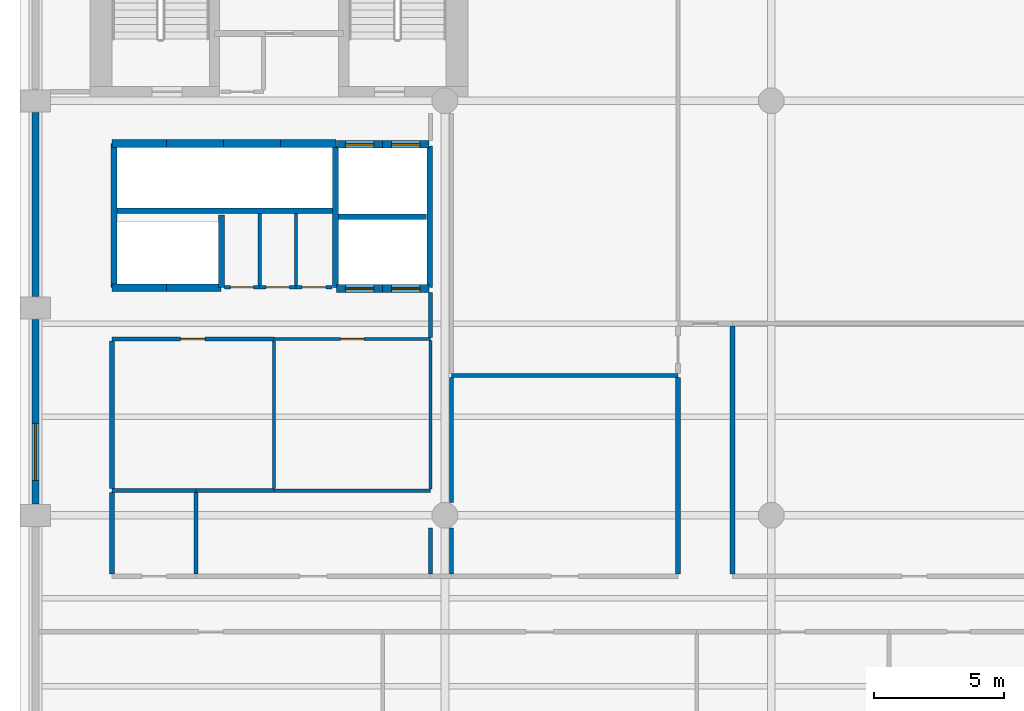
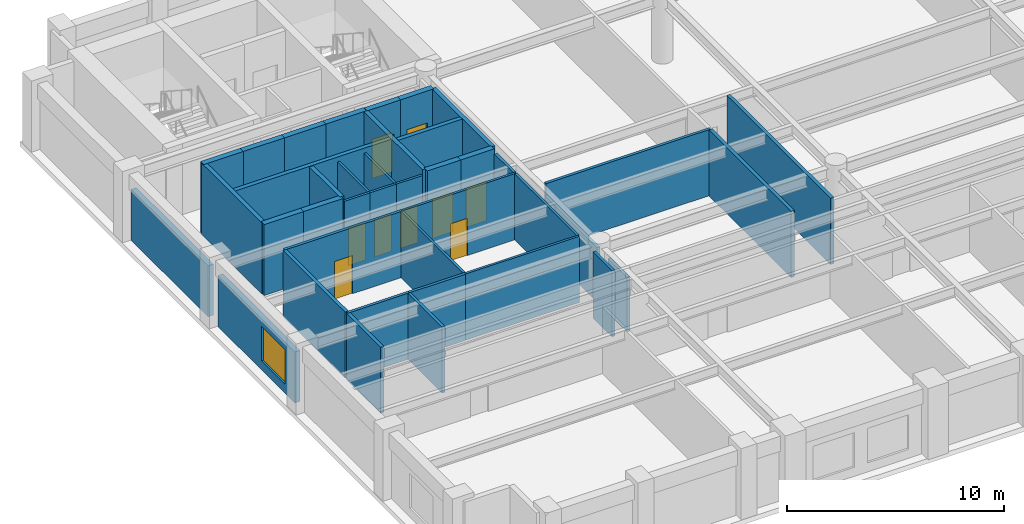
# One storey, part 3 of 8: 40 walls, 9 doors, 1 window, 10 openings.
"""IFC4 building model written with IfcOpenShell, lengths in metres."""

from ifc_helpers import new_model, si_unit, direction, frame, frame_2d, origin, place, context, subcontext, project, spatial, rectangle, extrude, material, layer, layer_set, type_object, element, fill, save


model = new_model("IFC4")

# Units and contexts
model_context = context("Model", 3, precision=1e-05, world=origin(), true_north=direction((0.0, 1.0)))
body_context = subcontext(model_context, "Body", "Model", "MODEL_VIEW")
ifc_project = project(units=[si_unit("LENGTHUNIT", "METRE"), si_unit("AREAUNIT", "SQUARE_METRE"), si_unit("VOLUMEUNIT", "CUBIC_METRE"), si_unit("PLANEANGLEUNIT", "RADIAN"), si_unit("MASSUNIT", "GRAM", prefix="KILO")], contexts=[model_context])

# Site, building, storey
site_placement = place(None, origin())
site = spatial("IfcSite", under=ifc_project, at=site_placement, CompositionType="ELEMENT")
building_placement = place(site_placement, origin())
building = spatial("IfcBuilding", under=site, at=building_placement, Name="Sulina Concourse Tower", CompositionType="ELEMENT")
storey_placement = place(building_placement, frame((0.0, 0.0, 108.60009765625)))
storey = spatial("IfcBuildingStorey", under=building, at=storey_placement, Name="L26", CompositionType="ELEMENT", Elevation=108.60009765625)

# Walls
ifc_material_1 = material(Name="Concrete C50/60", Category="concrete")
ifc_layer_1 = layer(ifc_material_1, 0.219970703125)
ifc_layer_set_1 = layer_set([ifc_layer_1], Name="Concrete C50/60")
wall_type_1 = type_object("IfcWallType", Name="Core Lift Hoistway Divider Wall 220mm", PredefinedType="SOLIDWALL", material=ifc_layer_set_1)
wall_1_placement = place(storey_placement, frame((3.550048828125, 29.75, 0.0), z_axis=(0.0, 0.0, 1.0), x_axis=(1.0, 0.0, 0.0)))
element("IfcWall", 1, at=wall_1_placement, inside=storey, type_object=wall_type_1, Name="L26 shaft divider wall HW-LP3-S", PredefinedType="SOLIDWALL", context=body_context, shape_type="SweptSolid", body=[
    extrude(rectangle(XDim=8.64990234375, YDim=0.219970703125, at=frame_2d((4.324951171875, 0.0))), origin(), (0.0, 0.0, 1.0), 4.0),
])
wall_2_placement = place(storey_placement, frame((3.6298828125, 26.800048828125, 0.0), z_axis=(0.0, 0.0, 1.0), x_axis=(0.0, 1.0, 0.0)))
element("IfcWall", 2, at=wall_2_placement, inside=storey, type_object=wall_type_1, Name="L26 shaft divider wall HW-LP3-W", PredefinedType="SOLIDWALL", context=body_context, shape_type="SweptSolid", body=[
    extrude(rectangle(XDim=5.550048828125, YDim=0.219970703125, at=frame_2d((2.77490234375, 0.0))), origin(), (0.0, 0.0, 1.0), 4.0),
])
wall_3_placement = place(storey_placement, frame((7.780029296875, 26.800048828125, 0.0), z_axis=(0.0, 0.0, 1.0), x_axis=(0.0, 1.0, 0.0)))
element("IfcWall", 3, at=wall_3_placement, inside=storey, type_object=wall_type_1, Name="L26 shaft divider wall HW-EXP-E", PredefinedType="SOLIDWALL", context=body_context, shape_type="SweptSolid", body=[
    extrude(rectangle(XDim=2.800048828125, YDim=0.219970703125, at=frame_2d((1.39990234375, 0.0))), origin(), (0.0, 0.0, 1.0), 4.0),
])
for number, where, z_axis, x_axis, name in (
    (4, (12.179931640625, 26.800048828125, 0.0), (0.0, 0.0, 1.0), (0.0, 1.0, 0.0), "L26 shaft divider wall HW-LP2-W"),
    (5, (15.820068359375, 26.800048828125, 0.0), (0.0, 0.0, 1.0), (0.0, 1.0, 0.0), "L26 shaft divider wall HW-LP2-E"),
):
    element("IfcWall", number, at=place(storey_placement, frame(where, z_axis=z_axis, x_axis=x_axis)), inside=storey, type_object=wall_type_1, Name=name, PredefinedType="SOLIDWALL", context=body_context, shape_type="SweptSolid", body=[
        extrude(rectangle(XDim=5.449951171875, YDim=0.219970703125, at=frame_2d((2.72509765625, 0.0))), origin(), (0.0, 0.0, 1.0), 4.0),
    ])
wall_4_placement = place(storey_placement, frame((12.300048828125, 29.52001953125, 0.0), z_axis=(0.0, 0.0, 1.0), x_axis=(1.0, 0.0, 0.0)))
element("IfcWall", 6, at=wall_4_placement, inside=storey, type_object=wall_type_1, Name="L26 shaft divider wall HW-LP2-M", PredefinedType="SOLIDWALL", context=body_context, shape_type="SweptSolid", body=[
    extrude(rectangle(XDim=3.39990234375, YDim=0.219970703125, at=frame_2d((1.699951171875, 0.0))), origin(), (0.0, 0.0, 1.0), 4.0),
])

# Wall, opening, door
ifc_material_2 = material(Name="Concrete C50/60", Category="concrete")
ifc_layer_2 = layer(ifc_material_2, 0.300048828125)
ifc_layer_set_2 = layer_set([ifc_layer_2], Name="Concrete C50/60")
wall_type_2 = type_object("IfcWallType", Name="Core Lift Hoistway Wall 300mm", PredefinedType="SOLIDWALL", material=ifc_layer_set_2)
wall_5_placement = place(storey_placement, frame((14.0, 26.75, 0.0), z_axis=(0.0, 0.0, 1.0), x_axis=(-1.0, 0.0, 0.0)))
wall_5 = element("IfcWall", 7, at=wall_5_placement, inside=storey, type_object=wall_type_2, Name="L26 hoistway enclosure wall LP-05", PredefinedType="SOLIDWALL", context=body_context, shape_type="SweptSolid", body=[
    extrude(rectangle(XDim=1.780029296875, YDim=0.300048828125, at=frame_2d((0.89013671875, 0.0))), origin(), (0.0, 0.0, 1.0), 4.0),
])
opening_1_placement = place(wall_5_placement, frame((0.340087890625, 0.0, 0.0)))
opening_1 = element("IfcOpeningElement", 8, at=opening_1_placement, cuts=wall_5, Name="Opening LD-01", PredefinedType="OPENING", context=body_context, shape_type="SweptSolid", body=[
    extrude(rectangle(XDim=1.10009765625, YDim=2.199951171875, at=frame_2d((0.550048828125, 1.10009765625))), frame((0.0, 0.159912109375, 0.0), z_axis=(0.0, -1.0, 0.0), x_axis=(1.0, 0.0, 0.0)), (0.0, 0.0, 1.0), 0.320068359375),
])
ifc_material_3 = material(Name="Stainless steel lift landing door", Category="steel")
ifc_layer_3 = layer(ifc_material_3, 0.050048828125)
ifc_layer_set_3 = layer_set([ifc_layer_3], Name="Stainless steel lift landing door")
door_type_1 = type_object("IfcDoorType", Name="Passenger Lift Sliding Landing Door 1100x2200", OperationType="SLIDING_TO_LEFT", PredefinedType="DOOR", material=ifc_layer_set_3)
door_1_placement = place(opening_1_placement, origin())
door_1 = element("IfcDoor", 9, at=door_1_placement, inside=storey, type_object=door_type_1, Name="L26 lift landing sliding door LP-05", OperationType="SLIDING_TO_LEFT", OverallHeight=2.199951171875, OverallWidth=1.10009765625, PredefinedType="DOOR", context=body_context, shape_type="SweptSolid", body=[
    extrude(rectangle(XDim=1.10009765625, YDim=2.199951171875, at=frame_2d((0.550048828125, 1.10009765625))), frame((0.0, 0.02490234375, 0.0), z_axis=(0.0, -1.0, 0.0), x_axis=(1.0, 0.0, 0.0)), (0.0, 0.0, 1.0), 0.050048828125),
])
fill(opening_1, door_1)

wall_6_placement = place(storey_placement, frame((15.780029296875, 26.75, 0.0), z_axis=(0.0, 0.0, 1.0), x_axis=(-1.0, 0.0, 0.0)))
wall_6 = element("IfcWall", 10, at=wall_6_placement, inside=storey, type_object=wall_type_2, Name="L26 hoistway enclosure wall LP-06", PredefinedType="SOLIDWALL", context=body_context, shape_type="SweptSolid", body=[
    extrude(rectangle(XDim=1.780029296875, YDim=0.300048828125, at=frame_2d((0.89013671875, 0.0))), origin(), (0.0, 0.0, 1.0), 4.0),
])
opening_2_placement = place(wall_6_placement, frame((0.340087890625, 0.0, 0.0)))
opening_2 = element("IfcOpeningElement", 11, at=opening_2_placement, cuts=wall_6, Name="Opening LD-01", PredefinedType="OPENING", context=body_context, shape_type="SweptSolid", body=[
    extrude(rectangle(XDim=1.10009765625, YDim=2.199951171875, at=frame_2d((0.550048828125, 1.10009765625))), frame((0.0, 0.159912109375, 0.0), z_axis=(0.0, -1.0, 0.0), x_axis=(1.0, 0.0, 0.0)), (0.0, 0.0, 1.0), 0.320068359375),
])
door_2_placement = place(opening_2_placement, origin())
door_2 = element("IfcDoor", 12, at=door_2_placement, inside=storey, type_object=door_type_1, Name="L26 lift landing sliding door LP-06", OperationType="SLIDING_TO_RIGHT", OverallHeight=2.199951171875, OverallWidth=1.10009765625, PredefinedType="DOOR", context=body_context, shape_type="SweptSolid", body=[
    extrude(rectangle(XDim=1.10009765625, YDim=2.199951171875, at=frame_2d((0.550048828125, 1.10009765625))), frame((0.0, 0.02490234375, 0.0), z_axis=(0.0, -1.0, 0.0), x_axis=(1.0, 0.0, 0.0)), (0.0, 0.0, 1.0), 0.050048828125),
])
fill(opening_2, door_2)

wall_7_placement = place(storey_placement, frame((12.219970703125, 32.320068359375, 0.0), z_axis=(0.0, 0.0, 1.0), x_axis=(1.0, 0.0, 0.0)))
wall_7 = element("IfcWall", 13, at=wall_7_placement, inside=storey, type_object=wall_type_2, Name="L26 hoistway enclosure wall LP-07", PredefinedType="SOLIDWALL", context=body_context, shape_type="SweptSolid", body=[
    extrude(rectangle(XDim=1.780029296875, YDim=0.300048828125, at=frame_2d((0.89013671875, 0.0))), origin(), (0.0, 0.0, 1.0), 4.0),
])
opening_3_placement = place(wall_7_placement, frame((0.340087890625, 0.0, 0.0)))
opening_3 = element("IfcOpeningElement", 14, at=opening_3_placement, cuts=wall_7, Name="Opening LD-01", PredefinedType="OPENING", context=body_context, shape_type="SweptSolid", body=[
    extrude(rectangle(XDim=1.10009765625, YDim=2.199951171875, at=frame_2d((0.550048828125, 1.10009765625))), frame((0.0, 0.159912109375, 0.0), z_axis=(0.0, -1.0, 0.0), x_axis=(1.0, 0.0, 0.0)), (0.0, 0.0, 1.0), 0.320068359375),
])
door_3_placement = place(opening_3_placement, origin())
door_3 = element("IfcDoor", 15, at=door_3_placement, inside=storey, type_object=door_type_1, Name="L26 lift landing sliding door LP-07", OperationType="SLIDING_TO_LEFT", OverallHeight=2.199951171875, OverallWidth=1.10009765625, PredefinedType="DOOR", context=body_context, shape_type="SweptSolid", body=[
    extrude(rectangle(XDim=1.10009765625, YDim=2.199951171875, at=frame_2d((0.550048828125, 1.10009765625))), frame((0.0, 0.02490234375, 0.0), z_axis=(0.0, -1.0, 0.0), x_axis=(1.0, 0.0, 0.0)), (0.0, 0.0, 1.0), 0.050048828125),
])
fill(opening_3, door_3)

wall_8_placement = place(storey_placement, frame((14.0, 32.320068359375, 0.0), z_axis=(0.0, 0.0, 1.0), x_axis=(1.0, 0.0, 0.0)))
wall_8 = element("IfcWall", 16, at=wall_8_placement, inside=storey, type_object=wall_type_2, Name="L26 hoistway enclosure wall LP-08", PredefinedType="SOLIDWALL", context=body_context, shape_type="SweptSolid", body=[
    extrude(rectangle(XDim=1.780029296875, YDim=0.300048828125, at=frame_2d((0.89013671875, 0.0))), origin(), (0.0, 0.0, 1.0), 4.0),
])
opening_4_placement = place(wall_8_placement, frame((0.340087890625, 0.0, 0.0)))
opening_4 = element("IfcOpeningElement", 17, at=opening_4_placement, cuts=wall_8, Name="Opening LD-01", PredefinedType="OPENING", context=body_context, shape_type="SweptSolid", body=[
    extrude(rectangle(XDim=1.10009765625, YDim=2.199951171875, at=frame_2d((0.550048828125, 1.10009765625))), frame((0.0, 0.159912109375, 0.0), z_axis=(0.0, -1.0, 0.0), x_axis=(1.0, 0.0, 0.0)), (0.0, 0.0, 1.0), 0.320068359375),
])
door_4_placement = place(opening_4_placement, origin())
door_4 = element("IfcDoor", 18, at=door_4_placement, inside=storey, type_object=door_type_1, Name="L26 lift landing sliding door LP-08", OperationType="SLIDING_TO_RIGHT", OverallHeight=2.199951171875, OverallWidth=1.10009765625, PredefinedType="DOOR", context=body_context, shape_type="SweptSolid", body=[
    extrude(rectangle(XDim=1.10009765625, YDim=2.199951171875, at=frame_2d((0.550048828125, 1.10009765625))), frame((0.0, 0.02490234375, 0.0), z_axis=(0.0, -1.0, 0.0), x_axis=(1.0, 0.0, 0.0)), (0.0, 0.0, 1.0), 0.050048828125),
])
fill(opening_4, door_4)

# Walls
wall_9_placement = place(storey_placement, frame((3.550048828125, 32.35009765625, 0.0), z_axis=(0.0, 0.0, 1.0), x_axis=(1.0, 0.0, 0.0)))
element("IfcWall", 19, at=wall_9_placement, inside=storey, type_object=wall_type_2, Name="L26 hoistway enclosure wall LP-09", PredefinedType="SOLIDWALL", context=body_context, shape_type="SweptSolid", body=[
    extrude(rectangle(XDim=2.099853515625, YDim=0.300048828125, at=frame_2d((1.0498046875, 0.0))), origin(), (0.0, 0.0, 1.0), 4.0),
])
wall_10_placement = place(storey_placement, frame((5.64990234375, 32.35009765625, 0.0), z_axis=(0.0, 0.0, 1.0), x_axis=(1.0, 0.0, 0.0)))
element("IfcWall", 20, at=wall_10_placement, inside=storey, type_object=wall_type_2, Name="L26 hoistway enclosure wall LP-10", PredefinedType="SOLIDWALL", context=body_context, shape_type="SweptSolid", body=[
    extrude(rectangle(XDim=2.2001953125, YDim=0.300048828125, at=frame_2d((1.10009765625, 0.0))), origin(), (0.0, 0.0, 1.0), 4.0),
])
wall_11_placement = place(storey_placement, frame((7.85009765625, 32.35009765625, 0.0), z_axis=(0.0, 0.0, 1.0), x_axis=(1.0, 0.0, 0.0)))
element("IfcWall", 21, at=wall_11_placement, inside=storey, type_object=wall_type_2, Name="L26 hoistway enclosure wall LP-11", PredefinedType="SOLIDWALL", context=body_context, shape_type="SweptSolid", body=[
    extrude(rectangle(XDim=2.199951171875, YDim=0.300048828125, at=frame_2d((1.10009765625, 0.0))), origin(), (0.0, 0.0, 1.0), 4.0),
])
wall_12_placement = place(storey_placement, frame((10.050048828125, 32.35009765625, 0.0), z_axis=(0.0, 0.0, 1.0), x_axis=(1.0, 0.0, 0.0)))
element("IfcWall", 22, at=wall_12_placement, inside=storey, type_object=wall_type_2, Name="L26 hoistway enclosure wall LP-12", PredefinedType="SOLIDWALL", context=body_context, shape_type="SweptSolid", body=[
    extrude(rectangle(XDim=2.14990234375, YDim=0.300048828125, at=frame_2d((1.074951171875, 0.0))), origin(), (0.0, 0.0, 1.0), 4.0),
])
wall_13_placement = place(storey_placement, frame((5.64990234375, 26.780029296875, 0.0), z_axis=(0.0, 0.0, 1.0), x_axis=(-1.0, 0.0, 0.0)))
element("IfcWall", 23, at=wall_13_placement, inside=storey, type_object=wall_type_2, Name="L26 hoistway enclosure wall EXP-1", PredefinedType="SOLIDWALL", context=body_context, shape_type="SweptSolid", body=[
    extrude(rectangle(XDim=2.099853515625, YDim=0.300048828125, at=frame_2d((1.0498046875, 0.0))), origin(), (0.0, 0.0, 1.0), 4.0),
])
wall_14_placement = place(storey_placement, frame((7.75, 26.780029296875, 0.0), z_axis=(0.0, 0.0, 1.0), x_axis=(-1.0, 0.0, 0.0)))
element("IfcWall", 24, at=wall_14_placement, inside=storey, type_object=wall_type_2, Name="L26 hoistway enclosure wall EXP-2", PredefinedType="SOLIDWALL", context=body_context, shape_type="SweptSolid", body=[
    extrude(rectangle(XDim=2.10009765625, YDim=0.300048828125, at=frame_2d((1.050048828125, 0.0))), origin(), (0.0, 0.0, 1.0), 4.0),
])
ifc_material_4 = material(Name="Gypsum board on steel stud", Category="steel")
ifc_layer_4 = layer(ifc_material_4, 0.14990234375)
ifc_layer_set_4 = layer_set([ifc_layer_4], Name="Gypsum board on steel stud")
wall_type_3 = type_object("IfcWallType", Name="Inter-Tenancy Acoustic Partition 150mm", PredefinedType="PARTITIONING", material=ifc_layer_set_4)
wall_15_placement = place(storey_placement, frame((3.550048828125, 18.949951171875, 0.0), z_axis=(0.0, 0.0, 1.0), x_axis=(1.0, 0.0, 0.0)))
element("IfcWall", 25, at=wall_15_placement, inside=storey, type_object=wall_type_3, Name="L26 interior partition 013", PredefinedType="PARTITIONING", context=body_context, shape_type="SweptSolid", body=[
    extrude(rectangle(XDim=3.25, YDim=0.14990234375, at=frame_2d((1.625, 0.0))), origin(), (0.0, 0.0, 1.0), 3.724853515625),
])
wall_16_placement = place(storey_placement, frame((6.800048828125, 18.949951171875, 0.0), z_axis=(0.0, 0.0, 1.0), x_axis=(1.0, 0.0, 0.0)))
element("IfcWall", 26, at=wall_16_placement, inside=storey, type_object=wall_type_3, Name="L26 interior partition 014", PredefinedType="PARTITIONING", context=body_context, shape_type="SweptSolid", body=[
    extrude(rectangle(XDim=3.0, YDim=0.14990234375, at=frame_2d((1.5, 0.0))), origin(), (0.0, 0.0, 1.0), 3.724853515625),
])
wall_17_placement = place(storey_placement, frame((16.64990234375, 23.39990234375, 0.0), z_axis=(0.0, 0.0, 1.0), x_axis=(1.0, 0.0, 0.0)))
element("IfcWall", 27, at=wall_17_placement, inside=storey, type_object=wall_type_3, Name="L26 interior partition 016", PredefinedType="PARTITIONING", context=body_context, shape_type="SweptSolid", body=[
    extrude(rectangle(XDim=8.75, YDim=0.14990234375, at=frame_2d((4.375, 0.0))), origin(), (0.0, 0.0, 1.0), 3.724853515625),
])

# Wall, opening, door
wall_18_placement = place(storey_placement, frame((3.550048828125, 24.800048828125, 0.0), z_axis=(0.0, 0.0, 1.0), x_axis=(1.0, 0.0, 0.0)))
wall_18 = element("IfcWall", 28, at=wall_18_placement, inside=storey, type_object=wall_type_3, Name="L26 interior partition 017", PredefinedType="PARTITIONING", context=body_context, shape_type="SweptSolid", body=[
    extrude(rectangle(XDim=6.25, YDim=0.14990234375, at=frame_2d((3.125, 0.0))), origin(), (0.0, 0.0, 1.0), 3.724853515625),
])
opening_5_placement = place(wall_18_placement, frame((2.64990234375, 0.0, 0.0)))
opening_5 = element("IfcOpeningElement", 29, at=opening_5_placement, cuts=wall_18, Name="Opening DR-19", PredefinedType="OPENING", context=body_context, shape_type="SweptSolid", body=[
    extrude(rectangle(XDim=0.949951171875, YDim=2.14990234375, at=frame_2d((0.47509765625, 1.074951171875))), frame((0.0, 0.0849609375, 0.0), z_axis=(0.0, -1.0, 0.0), x_axis=(1.0, 0.0, 0.0)), (0.0, 0.0, 1.0), 0.169921875),
])
ifc_material_5 = material(Name="Oak-veneered acoustic timber leaf", Category="wood")
ifc_layer_5 = layer(ifc_material_5, 0.050048828125)
ifc_layer_set_5 = layer_set([ifc_layer_5], Name="Oak-veneered acoustic timber leaf")
door_type_2 = type_object("IfcDoorType", Name="Cellular Office & Meeting Door 950x2150", OperationType="NOTDEFINED", PredefinedType="DOOR", material=ifc_layer_set_5)
door_5_placement = place(opening_5_placement, origin())
door_5 = element("IfcDoor", 30, at=door_5_placement, inside=storey, type_object=door_type_2, Name="L26 interior door L26-LR-MRG1", OperationType="SINGLE_SWING_LEFT", OverallHeight=2.14990234375, OverallWidth=0.949951171875, PredefinedType="DOOR", context=body_context, shape_type="SweptSolid", body=[
    extrude(rectangle(XDim=0.949951171875, YDim=2.14990234375, at=frame_2d((0.47509765625, 1.074951171875))), frame((0.0, 0.02490234375, 0.0), z_axis=(0.0, -1.0, 0.0), x_axis=(1.0, 0.0, 0.0)), (0.0, 0.0, 1.0), 0.050048828125),
])
fill(opening_5, door_5)

# Walls
wall_19_placement = place(storey_placement, frame((6.800048828125, 15.739990234375, 0.0), z_axis=(0.0, 0.0, 1.0), x_axis=(0.0, 1.0, 0.0)))
element("IfcWall", 31, at=wall_19_placement, inside=storey, type_object=wall_type_3, Name="L26 interior partition 032", PredefinedType="PARTITIONING", context=body_context, shape_type="SweptSolid", body=[
    extrude(rectangle(XDim=3.135009765625, YDim=0.14990234375, at=frame_2d((1.5673828125, 0.0))), origin(), (0.0, 0.0, 1.0), 3.724853515625),
])
wall_20_placement = place(storey_placement, frame((15.85009765625, 15.739990234375, 0.0), z_axis=(0.0, 0.0, 1.0), x_axis=(0.0, 1.0, 0.0)))
element("IfcWall", 32, at=wall_20_placement, inside=storey, type_object=wall_type_3, Name="L26 interior partition 038", PredefinedType="PARTITIONING", context=body_context, shape_type="SweptSolid", body=[
    extrude(rectangle(XDim=1.760009765625, YDim=0.14990234375, at=frame_2d((0.8798828125, 0.0))), origin(), (0.0, 0.0, 1.0), 3.724853515625),
])
wall_21_placement = place(storey_placement, frame((15.85009765625, 24.862548828125, 0.0), z_axis=(0.0, 0.0, 1.0), x_axis=(0.0, 1.0, 0.0)))
element("IfcWall", 33, at=wall_21_placement, inside=storey, type_object=wall_type_3, Name="L26 interior partition 040", PredefinedType="PARTITIONING", context=body_context, shape_type="SweptSolid", body=[
    extrude(rectangle(XDim=1.737548828125, YDim=0.14990234375, at=frame_2d((0.86865234375, 0.0))), origin(), (0.0, 0.0, 1.0), 3.724853515625),
])
wall_22_placement = place(storey_placement, frame((16.64990234375, 15.739990234375, 0.0), z_axis=(0.0, 0.0, 1.0), x_axis=(0.0, 1.0, 0.0)))
element("IfcWall", 34, at=wall_22_placement, inside=storey, type_object=wall_type_3, Name="L26 interior partition 042", PredefinedType="PARTITIONING", context=body_context, shape_type="SweptSolid", body=[
    extrude(rectangle(XDim=1.760009765625, YDim=0.14990234375, at=frame_2d((0.8798828125, 0.0))), origin(), (0.0, 0.0, 1.0), 3.06982421875),
])
wall_23_placement = place(storey_placement, frame((16.64990234375, 18.5, 0.0), z_axis=(0.0, 0.0, 1.0), x_axis=(0.0, 1.0, 0.0)))
element("IfcWall", 35, at=wall_23_placement, inside=storey, type_object=wall_type_3, Name="L26 interior partition 043", PredefinedType="PARTITIONING", context=body_context, shape_type="SweptSolid", body=[
    extrude(rectangle(XDim=4.824951171875, YDim=0.14990234375, at=frame_2d((2.41259765625, 0.0))), origin(), (0.0, 0.0, 1.0), 3.06982421875),
])
ifc_material_6 = material(Name="Gypsum board on steel stud", Category="steel")
ifc_layer_6 = layer(ifc_material_6, 0.179931640625)
ifc_layer_set_6 = layer_set([ifc_layer_6], Name="Gypsum board on steel stud")
wall_type_4 = type_object("IfcWallType", Name="Protected Corridor & Riser Partition 180mm", PredefinedType="PARTITIONING", material=ifc_layer_set_6)
wall_24_placement = place(storey_placement, frame((3.550048828125, 15.739990234375, 0.0), z_axis=(0.0, 0.0, 1.0), x_axis=(0.0, 1.0, 0.0)))
element("IfcWall", 36, at=wall_24_placement, inside=storey, type_object=wall_type_4, Name="L26 interior partition 030", PredefinedType="PARTITIONING", context=body_context, shape_type="SweptSolid", body=[
    extrude(rectangle(XDim=3.135009765625, YDim=0.179931640625, at=frame_2d((1.5673828125, 0.0))), origin(), (0.0, 0.0, 1.0), 3.724853515625),
])
wall_25_placement = place(storey_placement, frame((3.550048828125, 19.02490234375, 0.0), z_axis=(0.0, 0.0, 1.0), x_axis=(0.0, 1.0, 0.0)))
element("IfcWall", 37, at=wall_25_placement, inside=storey, type_object=wall_type_4, Name="L26 interior partition 031", PredefinedType="PARTITIONING", context=body_context, shape_type="SweptSolid", body=[
    extrude(rectangle(XDim=5.7001953125, YDim=0.179931640625, at=frame_2d((2.85009765625, 0.0))), origin(), (0.0, 0.0, 1.0), 3.724853515625),
])
wall_26_placement = place(storey_placement, frame((25.39990234375, 15.739990234375, 0.0), z_axis=(0.0, 0.0, 1.0), x_axis=(0.0, 1.0, 0.0)))
element("IfcWall", 38, at=wall_26_placement, inside=storey, type_object=wall_type_4, Name="L26 interior partition 045", PredefinedType="PARTITIONING", context=body_context, shape_type="SweptSolid", body=[
    extrude(rectangle(XDim=7.5849609375, YDim=0.179931640625, at=frame_2d((3.79248046875, 0.0))), origin(), (0.0, 0.0, 1.0), 3.724853515625),
])
wall_27_placement = place(storey_placement, frame((27.5, 15.739990234375, 0.0), z_axis=(0.0, 0.0, 1.0), x_axis=(0.0, 1.0, 0.0)))
element("IfcWall", 39, at=wall_27_placement, inside=storey, type_object=wall_type_4, Name="L26 interior partition 049", PredefinedType="PARTITIONING", context=body_context, shape_type="SweptSolid", body=[
    extrude(rectangle(XDim=9.570068359375, YDim=0.179931640625, at=frame_2d((4.78515625, 0.0))), origin(), (0.0, 0.0, 1.0), 3.724853515625),
])

# Wall, opening, window
ifc_material_7 = material(Name="Precast concrete C50/60", Category="concrete")
ifc_layer_7 = layer(ifc_material_7, 0.280029296875)
ifc_layer_set_7 = layer_set([ifc_layer_7], Name="Precast concrete C50/60")
wall_type_5 = type_object("IfcWallType", Name="Typical Precast Masonry-Frame Facade Wall 280mm", PredefinedType="SOLIDWALL", material=ifc_layer_set_7)
wall_28_placement = place(storey_placement, frame((0.60009765625, 18.445068359375, 0.0), z_axis=(0.0, 0.0, 1.0), x_axis=(0.0, 1.0, 0.0)))
wall_28 = element("IfcWall", 40, at=wall_28_placement, inside=storey, type_object=wall_type_5, Name="L26 exterior precast wall W3", PredefinedType="SOLIDWALL", context=body_context, shape_type="SweptSolid", body=[
    extrude(rectangle(XDim=7.10986328125, YDim=0.280029296875, at=frame_2d((3.554931640625, 0.0))), origin(), (0.0, 0.0, 1.0), 2.875),
])
opening_6_placement = place(wall_28_placement, frame((0.9033203125, 0.0, 0.5)))
opening_6 = element("IfcOpeningElement", 41, at=opening_6_placement, cuts=wall_28, Name="Opening WN-76", PredefinedType="OPENING", context=body_context, shape_type="SweptSolid", body=[
    extrude(rectangle(XDim=2.199951171875, YDim=1.949951171875, at=frame_2d((1.10009765625, 0.97509765625))), frame((0.0, 0.14990234375, 0.0), z_axis=(0.0, -1.0, 0.0), x_axis=(1.0, 0.0, 0.0)), (0.0, 0.0, 1.0), 0.300048828125),
])
ifc_material_8 = material(Name="Low-E solar double glazing in bronze aluminium", Category="aluminium")
window_type = type_object("IfcWindowType", Name="Recessed Spandrel Window 2200x1950", PartitioningType="DOUBLE_PANEL_VERTICAL", PredefinedType="WINDOW", material=ifc_material_8)
window_placement = place(opening_6_placement, origin())
window = element("IfcWindow", 42, at=window_placement, inside=storey, type_object=window_type, Name="L26 punched window W3-1", OverallHeight=1.949951171875, OverallWidth=2.199951171875, PartitioningType="SINGLE_PANEL", PredefinedType="WINDOW", context=body_context, shape_type="SweptSolid", body=[
    extrude(rectangle(XDim=2.199951171875, YDim=1.949951171875, at=frame_2d((1.10009765625, 0.97509765625))), frame((0.0, 0.030029296875, 0.0), z_axis=(0.0, -1.0, 0.0), x_axis=(1.0, 0.0, 0.0)), (0.0, 0.0, 1.0), 0.06005859375),
])
fill(opening_6, window)

# Walls
wall_29_placement = place(storey_placement, frame((0.60009765625, 26.445068359375, 0.0), z_axis=(0.0, 0.0, 1.0), x_axis=(0.0, 1.0, 0.0)))
element("IfcWall", 43, at=wall_29_placement, inside=storey, type_object=wall_type_5, Name="L26 exterior precast wall W4", PredefinedType="SOLIDWALL", context=body_context, shape_type="SweptSolid", body=[
    extrude(rectangle(XDim=7.10986328125, YDim=0.280029296875, at=frame_2d((3.554931640625, 0.0))), origin(), (0.0, 0.0, 1.0), 2.875),
])
ifc_material_9 = material(Name="Gypsum board on steel stud", Category="steel")
ifc_layer_8 = layer(ifc_material_9, 0.125)
ifc_layer_set_8 = layer_set([ifc_layer_8], Name="Gypsum board on steel stud")
wall_type_6 = type_object("IfcWallType", Name="Wet-Area Moisture-Resistant Partition 125mm", PredefinedType="PARTITIONING", material=ifc_layer_set_8)
wall_30_placement = place(storey_placement, frame((9.800048828125, 18.949951171875, 0.0), z_axis=(0.0, 0.0, 1.0), x_axis=(1.0, 0.0, 0.0)))
element("IfcWall", 44, at=wall_30_placement, inside=storey, type_object=wall_type_6, Name="L26 interior partition 015", PredefinedType="PARTITIONING", context=body_context, shape_type="SweptSolid", body=[
    extrude(rectangle(XDim=6.050048828125, YDim=0.125, at=frame_2d((3.02490234375, 0.0))), origin(), (0.0, 0.0, 1.0), 3.724853515625),
])

# Wall, opening, door
wall_31_placement = place(storey_placement, frame((9.800048828125, 24.800048828125, 0.0), z_axis=(0.0, 0.0, 1.0), x_axis=(1.0, 0.0, 0.0)))
wall_31 = element("IfcWall", 45, at=wall_31_placement, inside=storey, type_object=wall_type_6, Name="L26 interior partition 018", PredefinedType="PARTITIONING", context=body_context, shape_type="SweptSolid", body=[
    extrude(rectangle(XDim=6.050048828125, YDim=0.125, at=frame_2d((3.02490234375, 0.0))), origin(), (0.0, 0.0, 1.0), 3.724853515625),
])
opening_7_placement = place(wall_31_placement, frame((2.574951171875, 0.0, 0.0)))
opening_7 = element("IfcOpeningElement", 46, at=opening_7_placement, cuts=wall_31, Name="Opening DR-21", PredefinedType="OPENING", context=body_context, shape_type="SweptSolid", body=[
    extrude(rectangle(XDim=0.89990234375, YDim=2.10009765625, at=frame_2d((0.449951171875, 1.050048828125))), frame((0.0, 0.072509765625, 0.0), z_axis=(0.0, -1.0, 0.0), x_axis=(1.0, 0.0, 0.0)), (0.0, 0.0, 1.0), 0.14501953125),
])
ifc_material_10 = material(Name="Oak-veneered fire door leaf")
ifc_layer_9 = layer(ifc_material_10, 0.050048828125)
ifc_layer_set_9 = layer_set([ifc_layer_9], Name="Oak-veneered fire door leaf")
door_type_3 = type_object("IfcDoorType", Name="Restroom & Service Door 900x2100", OperationType="NOTDEFINED", PredefinedType="DOOR", material=ifc_layer_set_9)
door_6_placement = place(opening_7_placement, origin())
door_6 = element("IfcDoor", 47, at=door_6_placement, inside=storey, type_object=door_type_3, Name="L26 interior door L26-LR-MRG2", OperationType="SINGLE_SWING_RIGHT", OverallHeight=2.10009765625, OverallWidth=0.89990234375, PredefinedType="DOOR", context=body_context, shape_type="SweptSolid", body=[
    extrude(rectangle(XDim=0.89990234375, YDim=2.10009765625, at=frame_2d((0.449951171875, 1.050048828125))), frame((0.0, 0.02490234375, 0.0), z_axis=(0.0, -1.0, 0.0), x_axis=(1.0, 0.0, 0.0)), (0.0, 0.0, 1.0), 0.050048828125),
])
fill(opening_7, door_6)

wall_32_placement = place(storey_placement, frame((7.889892578125, 26.800048828125, 0.0), z_axis=(0.0, 0.0, 1.0), x_axis=(1.0, 0.0, 0.0)))
wall_32 = element("IfcWall", 48, at=wall_32_placement, inside=storey, type_object=wall_type_6, Name="L26 interior partition 021", PredefinedType="PARTITIONING", context=body_context, shape_type="SweptSolid", body=[
    extrude(rectangle(XDim=1.360107421875, YDim=0.125, at=frame_2d((0.68017578125, 0.0))), origin(), (0.0, 0.0, 1.0), 3.724853515625),
])
opening_8_placement = place(wall_32_placement, frame((0.22998046875, 0.0, 0.0)))
opening_8 = element("IfcOpeningElement", 49, at=opening_8_placement, cuts=wall_32, Name="Opening DR-21", PredefinedType="OPENING", context=body_context, shape_type="SweptSolid", body=[
    extrude(rectangle(XDim=0.89990234375, YDim=2.10009765625, at=frame_2d((0.449951171875, 1.050048828125))), frame((0.0, 0.072509765625, 0.0), z_axis=(0.0, -1.0, 0.0), x_axis=(1.0, 0.0, 0.0)), (0.0, 0.0, 1.0), 0.14501953125),
])
door_7_placement = place(opening_8_placement, origin())
door_7 = element("IfcDoor", 50, at=door_7_placement, inside=storey, type_object=door_type_3, Name="L26 interior door L26-WC-M", OperationType="SINGLE_SWING_RIGHT", OverallHeight=2.10009765625, OverallWidth=0.89990234375, PredefinedType="DOOR", context=body_context, shape_type="SweptSolid", body=[
    extrude(rectangle(XDim=0.89990234375, YDim=2.10009765625, at=frame_2d((0.449951171875, 1.050048828125))), frame((0.0, 0.02490234375, 0.0), z_axis=(0.0, -1.0, 0.0), x_axis=(1.0, 0.0, 0.0)), (0.0, 0.0, 1.0), 0.050048828125),
])
fill(opening_8, door_7)

wall_33_placement = place(storey_placement, frame((9.25, 26.800048828125, 0.0), z_axis=(0.0, 0.0, 1.0), x_axis=(1.0, 0.0, 0.0)))
wall_33 = element("IfcWall", 51, at=wall_33_placement, inside=storey, type_object=wall_type_6, Name="L26 interior partition 022", PredefinedType="PARTITIONING", context=body_context, shape_type="SweptSolid", body=[
    extrude(rectangle(XDim=1.39990234375, YDim=0.125, at=frame_2d((0.699951171875, 0.0))), origin(), (0.0, 0.0, 1.0), 3.724853515625),
])
opening_9_placement = place(wall_33_placement, frame((0.25, 0.0, 0.0)))
opening_9 = element("IfcOpeningElement", 52, at=opening_9_placement, cuts=wall_33, Name="Opening DR-21", PredefinedType="OPENING", context=body_context, shape_type="SweptSolid", body=[
    extrude(rectangle(XDim=0.89990234375, YDim=2.10009765625, at=frame_2d((0.449951171875, 1.050048828125))), frame((0.0, 0.072509765625, 0.0), z_axis=(0.0, -1.0, 0.0), x_axis=(1.0, 0.0, 0.0)), (0.0, 0.0, 1.0), 0.14501953125),
])
door_8_placement = place(opening_9_placement, origin())
door_8 = element("IfcDoor", 53, at=door_8_placement, inside=storey, type_object=door_type_3, Name="L26 interior door L26-WC-F", OperationType="SINGLE_SWING_LEFT", OverallHeight=2.10009765625, OverallWidth=0.89990234375, PredefinedType="DOOR", context=body_context, shape_type="SweptSolid", body=[
    extrude(rectangle(XDim=0.89990234375, YDim=2.10009765625, at=frame_2d((0.449951171875, 1.050048828125))), frame((0.0, 0.02490234375, 0.0), z_axis=(0.0, -1.0, 0.0), x_axis=(1.0, 0.0, 0.0)), (0.0, 0.0, 1.0), 0.050048828125),
])
fill(opening_9, door_8)

wall_34_placement = place(storey_placement, frame((10.64990234375, 26.800048828125, 0.0), z_axis=(0.0, 0.0, 1.0), x_axis=(1.0, 0.0, 0.0)))
wall_34 = element("IfcWall", 54, at=wall_34_placement, inside=storey, type_object=wall_type_6, Name="L26 interior partition 023", PredefinedType="PARTITIONING", context=body_context, shape_type="SweptSolid", body=[
    extrude(rectangle(XDim=1.400146484375, YDim=0.125, at=frame_2d((0.7001953125, 0.0))), origin(), (0.0, 0.0, 1.0), 3.724853515625),
])
opening_10_placement = place(wall_34_placement, frame((0.239990234375, 0.0, 0.0)))
opening_10 = element("IfcOpeningElement", 55, at=opening_10_placement, cuts=wall_34, Name="Opening DR-61", PredefinedType="OPENING", context=body_context, shape_type="SweptSolid", body=[
    extrude(rectangle(XDim=0.919921875, YDim=2.10009765625, at=frame_2d((0.4599609375, 1.050048828125))), frame((0.0, 0.072509765625, 0.0), z_axis=(0.0, -1.0, 0.0), x_axis=(1.0, 0.0, 0.0)), (0.0, 0.0, 1.0), 0.14501953125),
])
ifc_material_11 = material(Name="Oak-veneered fire door leaf")
ifc_layer_10 = layer(ifc_material_11, 0.050048828125)
ifc_layer_set_10 = layer_set([ifc_layer_10], Name="Oak-veneered fire door leaf")
door_type_4 = type_object("IfcDoorType", Name="Accessible WC Door 920x2100", OperationType="NOTDEFINED", PredefinedType="DOOR", material=ifc_layer_set_10)
door_9_placement = place(opening_10_placement, origin())
door_9 = element("IfcDoor", 56, at=door_9_placement, inside=storey, type_object=door_type_4, Name="L26 interior door L26-WC-ACC", OperationType="SINGLE_SWING_RIGHT", OverallHeight=2.10009765625, OverallWidth=0.919921875, PredefinedType="DOOR", context=body_context, shape_type="SweptSolid", body=[
    extrude(rectangle(XDim=0.919921875, YDim=2.10009765625, at=frame_2d((0.4599609375, 1.050048828125))), frame((0.0, 0.02490234375, 0.0), z_axis=(0.0, -1.0, 0.0), x_axis=(1.0, 0.0, 0.0)), (0.0, 0.0, 1.0), 0.050048828125),
])
fill(opening_10, door_9)

# Walls
wall_35_placement = place(storey_placement, frame((9.25, 26.862548828125, 0.0), z_axis=(0.0, 0.0, 1.0), x_axis=(0.0, 1.0, 0.0)))
element("IfcWall", 57, at=wall_35_placement, inside=storey, type_object=wall_type_6, Name="L26 interior partition 033", PredefinedType="PARTITIONING", context=body_context, shape_type="SweptSolid", body=[
    extrude(rectangle(XDim=2.77734375, YDim=0.125, at=frame_2d((1.388671875, 0.0))), origin(), (0.0, 0.0, 1.0), 3.724853515625),
])
wall_36_placement = place(storey_placement, frame((9.800048828125, 19.02490234375, 0.0), z_axis=(0.0, 0.0, 1.0), x_axis=(0.0, 1.0, 0.0)))
element("IfcWall", 58, at=wall_36_placement, inside=storey, type_object=wall_type_6, Name="L26 interior partition 035", PredefinedType="PARTITIONING", context=body_context, shape_type="SweptSolid", body=[
    extrude(rectangle(XDim=5.7001953125, YDim=0.125, at=frame_2d((2.85009765625, 0.0))), origin(), (0.0, 0.0, 1.0), 3.724853515625),
])
wall_37_placement = place(storey_placement, frame((10.64990234375, 26.862548828125, 0.0), z_axis=(0.0, 0.0, 1.0), x_axis=(0.0, 1.0, 0.0)))
element("IfcWall", 59, at=wall_37_placement, inside=storey, type_object=wall_type_6, Name="L26 interior partition 036", PredefinedType="PARTITIONING", context=body_context, shape_type="SweptSolid", body=[
    extrude(rectangle(XDim=2.77734375, YDim=0.125, at=frame_2d((1.388671875, 0.0))), origin(), (0.0, 0.0, 1.0), 3.724853515625),
])
wall_38_placement = place(storey_placement, frame((15.85009765625, 19.012451171875, 0.0), z_axis=(0.0, 0.0, 1.0), x_axis=(0.0, 1.0, 0.0)))
element("IfcWall", 60, at=wall_38_placement, inside=storey, type_object=wall_type_6, Name="L26 interior partition 039", PredefinedType="PARTITIONING", context=body_context, shape_type="SweptSolid", body=[
    extrude(rectangle(XDim=5.72509765625, YDim=0.125, at=frame_2d((2.862548828125, 0.0))), origin(), (0.0, 0.0, 1.0), 3.724853515625),
])

save(model, "model.ifc")
